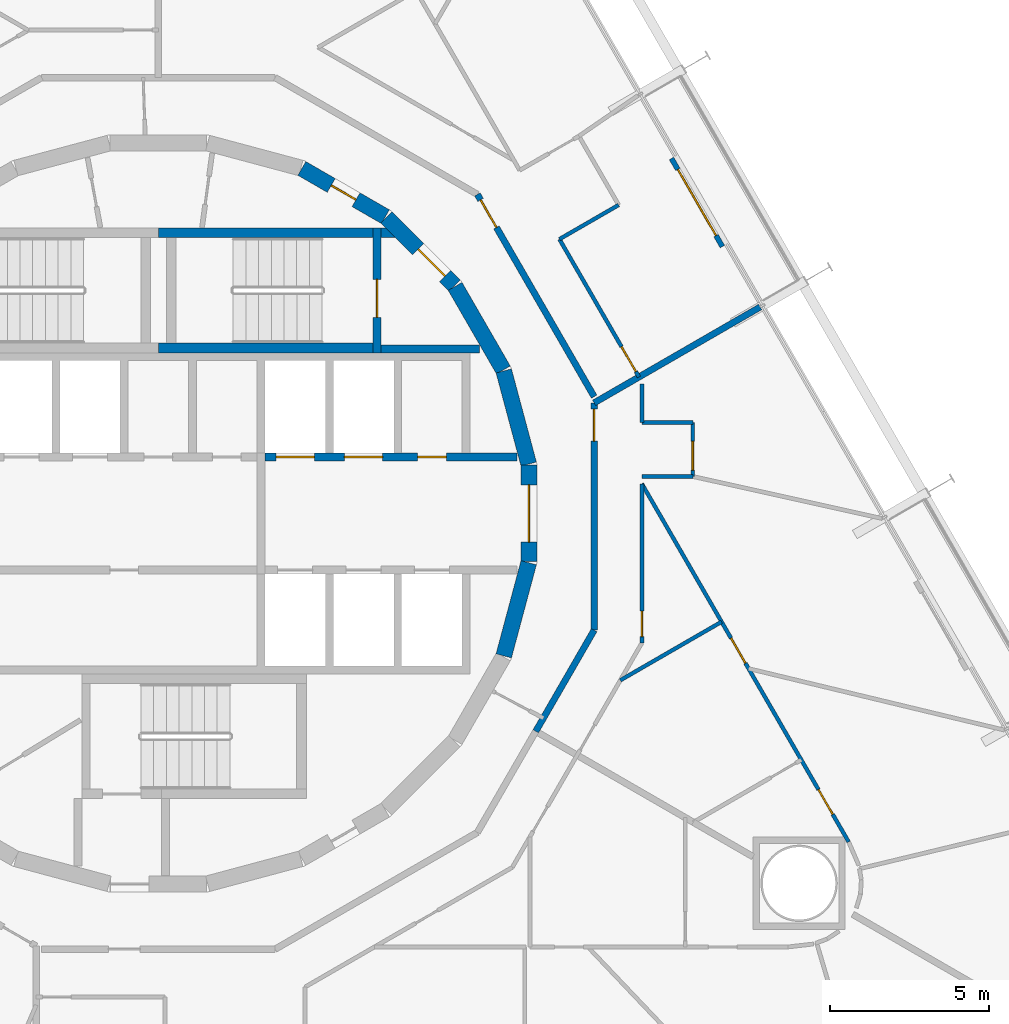
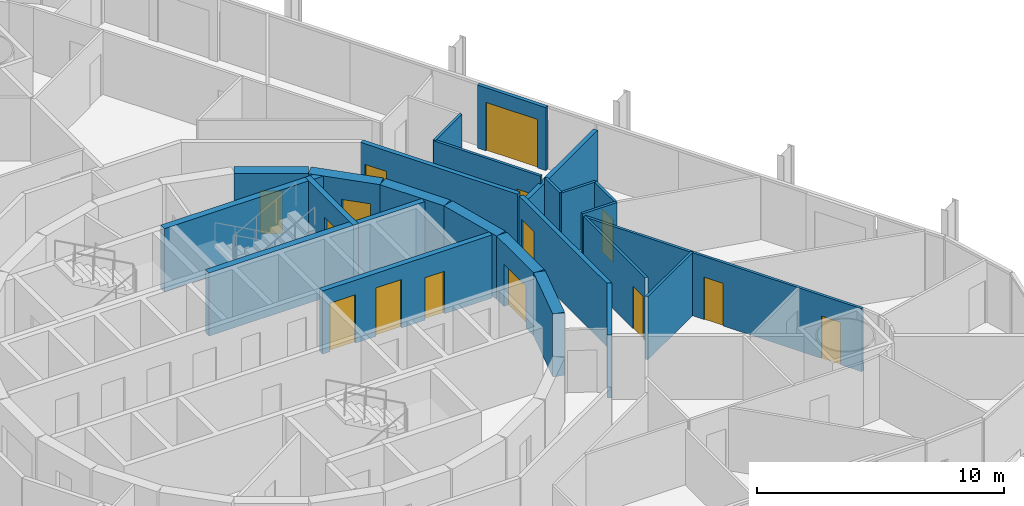
# One storey, part 17 of 21: 26 walls, 15 doors, 15 openings.
"""IFC4 building model written with IfcOpenShell, lengths in metres."""

from ifc_helpers import new_model, si_unit, direction, frame, frame_2d, origin, place, context, subcontext, project, spatial, polyline, rectangle, outline, extrude, material, layer, layer_set, type_object, element, fill, save


model = new_model("IFC4")

# Units and contexts
model_context = context("Model", 3, precision=1e-05, world=origin(), true_north=direction((0.0, 1.0)))
body_context = subcontext(model_context, "Body", "Model", "MODEL_VIEW")
ifc_project = project(units=[si_unit("LENGTHUNIT", "METRE"), si_unit("AREAUNIT", "SQUARE_METRE"), si_unit("VOLUMEUNIT", "CUBIC_METRE"), si_unit("PLANEANGLEUNIT", "RADIAN"), si_unit("MASSUNIT", "GRAM", prefix="KILO")], contexts=[model_context])

# Site, building, storey
site_placement = place(None, origin())
site = spatial("IfcSite", under=ifc_project, at=site_placement, CompositionType="ELEMENT")
building_placement = place(site_placement, origin())
building = spatial("IfcBuilding", under=site, at=building_placement, Name="Spindle Arch Residences", CompositionType="ELEMENT")
storey_placement = place(building_placement, frame((0.0, 0.0, 55.89990234375)))
storey = spatial("IfcBuildingStorey", under=building, at=storey_placement, Name="L12", CompositionType="ELEMENT", Elevation=55.89990234375)

# Wall
ifc_material_1 = material(Name="Concrete C50/60", Category="concrete")
ifc_layer_1 = layer(ifc_material_1, 0.5)
ifc_layer_set_1 = layer_set([ifc_layer_1], Name="Core outline wall 500")
wall_type_1 = type_object("IfcWallType", Name="Core outline wall 500", PredefinedType="SHEAR", material=ifc_layer_set_1)
wall_1_placement = place(storey_placement, frame((10.858154296875, -4.479248046875, 0.0), z_axis=(0.0, 0.0, 1.0), x_axis=(0.258734743916, 0.965948410781, 0.0)))
element("IfcWall", 1, at=wall_1_placement, inside=storey, type_object=wall_type_1, Name="Core outline wall 5", PredefinedType="SHEAR", context=body_context, shape_type="SweptSolid", body=[
    extrude(rectangle(XDim=3.03271484375, YDim=0.5, at=frame_2d((1.516357421875, 0.0))), origin(), (0.0, 0.0, 1.0), 3.1201171875),
])

# Wall, opening, door
wall_2_placement = place(storey_placement, frame((11.647216796875, -1.516357421875, 0.0), z_axis=(0.0, 0.0, 1.0), x_axis=(0.0, 1.0, 0.0)))
wall_2 = element("IfcWall", 2, at=wall_2_placement, inside=storey, type_object=wall_type_1, Name="Core outline wall 6", PredefinedType="SHEAR", context=body_context, shape_type="SweptSolid", body=[
    extrude(rectangle(XDim=3.03271484375, YDim=0.5, at=frame_2d((1.516357421875, 0.0))), origin(), (0.0, 0.0, 1.0), 3.1201171875),
])
opening_1_placement = place(wall_2_placement, frame((0.6162109375, 0.0, 0.0)))
opening_1 = element("IfcOpeningElement", 3, at=opening_1_placement, cuts=wall_2, Name="Opening R1B1-FE01", PredefinedType="OPENING", context=body_context, shape_type="SweptSolid", body=[
    extrude(rectangle(XDim=1.800048828125, YDim=2.10009765625, at=frame_2d((0.89990234375, 1.050048828125))), frame((0.0, 0.260009765625, 0.0), z_axis=(0.0, -1.0, 0.0), x_axis=(1.0, 0.0, 0.0)), (0.0, 0.0, 1.0), 0.52001953125),
])
ifc_material_2 = material(Name="Steel, fire-resisting door", Category="steel")
door_type_1 = type_object("IfcDoorType", Name="Fire-lift lobby door 1800x2100", OperationType="DOUBLE_DOOR_SINGLE_SWING", PredefinedType="DOOR", material=ifc_material_2)
door_1_placement = place(opening_1_placement, origin())
door_1 = element("IfcDoor", 4, at=door_1_placement, inside=storey, type_object=door_type_1, Name="Fire-lift lobby door R1B1-FE01", OperationType="DOUBLE_DOOR_SINGLE_SWING", OverallHeight=2.10009765625, OverallWidth=1.800048828125, PredefinedType="DOOR", context=body_context, shape_type="SweptSolid", body=[
    extrude(rectangle(XDim=1.800048828125, YDim=2.10009765625, at=frame_2d((0.89990234375, 1.050048828125))), frame((0.0, 0.02490234375, 0.0), z_axis=(0.0, -1.0, 0.0), x_axis=(1.0, 0.0, 0.0)), (0.0, 0.0, 1.0), 0.050048828125),
])
fill(opening_1, door_1)

# Walls
for number, where, z_axis, x_axis, name in (
    (5, (11.642822265625, 1.5498046875, 0.0), (0.0, 0.0, 1.0), (-0.258734743916, 0.965948410781, 0.0), "Core outline wall 7"),
    (6, (10.84521484375, 4.510498046875, 0.0), (0.0, 0.0, 1.0), (-0.500087131594, 0.865975092491, 0.0), "Core outline wall 8"),
):
    element("IfcWall", number, at=place(storey_placement, frame(where, z_axis=z_axis, x_axis=x_axis)), inside=storey, type_object=wall_type_1, Name=name, PredefinedType="SHEAR", context=body_context, shape_type="SweptSolid", body=[
        extrude(rectangle(XDim=3.03271484375, YDim=0.5, at=frame_2d((1.516357421875, 0.0))), origin(), (0.0, 0.0, 1.0), 3.1201171875),
    ])

# Wall, opening, door
wall_3_placement = place(storey_placement, frame((9.30810546875, 7.163818359375, 0.0), z_axis=(0.0, 0.0, 1.0), x_axis=(-0.707106781187, 0.707106781187, 0.0)))
wall_3 = element("IfcWall", 7, at=wall_3_placement, inside=storey, type_object=wall_type_1, Name="Core outline wall 9", PredefinedType="SHEAR", context=body_context, shape_type="SweptSolid", body=[
    extrude(rectangle(XDim=3.032470703125, YDim=0.5, at=frame_2d((1.51611328125, 0.0))), origin(), (0.0, 0.0, 1.0), 3.1201171875),
])
opening_2_placement = place(wall_3_placement, frame((0.416259765625, 0.0, 0.0)))
opening_2 = element("IfcOpeningElement", 8, at=opening_2_placement, cuts=wall_3, Name="Opening R1B1-AD01", PredefinedType="OPENING", context=body_context, shape_type="SweptSolid", body=[
    extrude(rectangle(XDim=1.199951171875, YDim=2.10009765625, at=frame_2d((0.60009765625, 1.050048828125))), frame((0.0, 0.260009765625, 0.0), z_axis=(0.0, -1.0, 0.0), x_axis=(1.0, 0.0, 0.0)), (0.0, 0.0, 1.0), 0.52001953125),
])
ifc_material_3 = material(Name="Steel, fire-resisting door", Category="steel")
door_type_2 = type_object("IfcDoorType", Name="Stair airlock door 1200x2100", OperationType="SINGLE_SWING_LEFT", PredefinedType="DOOR", material=ifc_material_3)
door_2_placement = place(opening_2_placement, origin())
door_2 = element("IfcDoor", 9, at=door_2_placement, inside=storey, type_object=door_type_2, Name="Stair airlock door R1B1-AD01", OperationType="SINGLE_SWING_RIGHT", OverallHeight=2.10009765625, OverallWidth=1.199951171875, PredefinedType="DOOR", context=body_context, shape_type="SweptSolid", body=[
    extrude(rectangle(XDim=1.199951171875, YDim=2.10009765625, at=frame_2d((0.60009765625, 1.050048828125))), frame((0.0, 0.02490234375, 0.0), z_axis=(0.0, -1.0, 0.0), x_axis=(1.0, 0.0, 0.0)), (0.0, 0.0, 1.0), 0.050048828125),
])
fill(opening_2, door_2)

wall_4_placement = place(storey_placement, frame((7.13671875, 9.32861328125, 0.0), z_axis=(0.0, 0.0, 1.0), x_axis=(-0.865975092491, 0.500087131594, 0.0)))
wall_4 = element("IfcWall", 10, at=wall_4_placement, inside=storey, type_object=wall_type_1, Name="Core outline wall 10", PredefinedType="SHEAR", context=body_context, shape_type="SweptSolid", body=[
    extrude(rectangle(XDim=3.03271484375, YDim=0.5, at=frame_2d((1.516357421875, 0.0))), origin(), (0.0, 0.0, 1.0), 3.1201171875),
])
opening_3_placement = place(wall_4_placement, frame((1.06640625, 0.0, 0.0)))
opening_3 = element("IfcOpeningElement", 11, at=opening_3_placement, cuts=wall_4, Name="Opening R1B1-WD10", PredefinedType="OPENING", context=body_context, shape_type="SweptSolid", body=[
    extrude(rectangle(XDim=0.89990234375, YDim=2.10009765625, at=frame_2d((0.449951171875, 1.050048828125))), frame((0.0, 0.260009765625, 0.0), z_axis=(0.0, -1.0, 0.0), x_axis=(1.0, 0.0, 0.0)), (0.0, 0.0, 1.0), 0.52001953125),
])
ifc_material_4 = material(Name="Steel, fire-resisting door", Category="steel")
door_type_3 = type_object("IfcDoorType", Name="Service room door 900x2100", OperationType="SINGLE_SWING_LEFT", PredefinedType="DOOR", material=ifc_material_4)
door_3_placement = place(opening_3_placement, origin())
door_3 = element("IfcDoor", 12, at=door_3_placement, inside=storey, type_object=door_type_3, Name="Service room door R1B1-WD10", OperationType="SINGLE_SWING_LEFT", OverallHeight=2.10009765625, OverallWidth=0.89990234375, PredefinedType="DOOR", context=body_context, shape_type="SweptSolid", body=[
    extrude(rectangle(XDim=0.89990234375, YDim=2.10009765625, at=frame_2d((0.449951171875, 1.050048828125))), frame((0.0, 0.02490234375, 0.0), z_axis=(0.0, -1.0, 0.0), x_axis=(1.0, 0.0, 0.0)), (0.0, 0.0, 1.0), 0.050048828125),
])
fill(opening_3, door_3)

ifc_material_5 = material(Name="Calcium silicate block, plastered")
ifc_layer_2 = layer(ifc_material_5, 0.199951171875)
ifc_layer_set_2 = layer_set([ifc_layer_2], Name="Corridor wall 200")
wall_type_2 = type_object("IfcWallType", Name="Corridor wall 200", PredefinedType="STANDARD", material=ifc_layer_set_2)
wall_5_placement = place(storey_placement, frame((13.699951171875, 3.6708984375, 0.0), z_axis=(0.0, 0.0, 1.0), x_axis=(-0.500001669485, 0.866024439905, 0.0)))
wall_5 = element("IfcWall", 13, at=wall_5_placement, inside=storey, type_object=wall_type_2, Name="Corridor wall R1B1-W004", PredefinedType="STANDARD", context=body_context, shape_type="SweptSolid", body=[
    extrude(rectangle(XDim=7.341796875, YDim=0.199951171875, at=frame_2d((3.6708984375, 0.0))), origin(), (0.0, 0.0, 1.0), 3.1201171875),
])
opening_4_placement = place(wall_5_placement, frame((6.141845703125, 0.0, 0.0)))
opening_4 = element("IfcOpeningElement", 14, at=opening_4_placement, cuts=wall_5, Name="Opening R1B1-FD01", PredefinedType="OPENING", context=body_context, shape_type="SweptSolid", body=[
    extrude(rectangle(XDim=1.0, YDim=2.10009765625, at=frame_2d((0.5, 1.050048828125))), frame((0.0, 0.10986328125, 0.0), z_axis=(0.0, -1.0, 0.0), x_axis=(1.0, 0.0, 0.0)), (0.0, 0.0, 1.0), 0.219970703125),
])
ifc_material_6 = material(Name="Timber, fire-resisting door set", Category="wood")
door_type_4 = type_object("IfcDoorType", Name="Flat entrance door 1000x2100", OperationType="NOTDEFINED", PredefinedType="DOOR", material=ifc_material_6)
door_4_placement = place(opening_4_placement, origin())
door_4 = element("IfcDoor", 15, at=door_4_placement, inside=storey, type_object=door_type_4, Name="Flat entrance door R1B1-FD01", OperationType="SINGLE_SWING_RIGHT", OverallHeight=2.10009765625, OverallWidth=1.0, PredefinedType="DOOR", context=body_context, shape_type="SweptSolid", body=[
    extrude(rectangle(XDim=1.0, YDim=2.10009765625, at=frame_2d((0.5, 1.050048828125))), frame((0.0, 0.02490234375, 0.0), z_axis=(0.0, -1.0, 0.0), x_axis=(1.0, 0.0, 0.0)), (0.0, 0.0, 1.0), 0.050048828125),
])
fill(opening_4, door_4)

# Wall
wall_6_placement = place(storey_placement, frame((11.864501953125, -6.85009765625, 0.0), z_axis=(0.0, 0.0, 1.0), x_axis=(0.499987270552, 0.86603275301, 0.0)))
element("IfcWall", 16, at=wall_6_placement, inside=storey, type_object=wall_type_2, Name="Corridor wall R1B1-W007", PredefinedType="STANDARD", context=body_context, shape_type="SweptSolid", body=[
    extrude(rectangle(XDim=3.6708984375, YDim=0.199951171875, at=frame_2d((1.83544921875, 0.0))), origin(), (0.0, 0.0, 1.0), 3.1201171875),
])

# Wall, opening, door
wall_7_placement = place(storey_placement, frame((13.699951171875, -3.6708984375, 0.0), z_axis=(0.0, 0.0, 1.0), x_axis=(0.0, 1.0, 0.0)))
wall_7 = element("IfcWall", 17, at=wall_7_placement, inside=storey, type_object=wall_type_2, Name="Corridor wall R1B1-W008", PredefinedType="STANDARD", context=body_context, shape_type="SweptSolid", body=[
    extrude(rectangle(XDim=7.146484375, YDim=0.199951171875, at=frame_2d((3.5732421875, 0.0))), origin(), (0.0, 0.0, 1.0), 3.1201171875),
])
opening_5_placement = place(wall_7_placement, frame((5.946533203125, 0.0, 0.0)))
opening_5 = element("IfcOpeningElement", 18, at=opening_5_placement, cuts=wall_7, Name="Opening R1B1-FD06", PredefinedType="OPENING", context=body_context, shape_type="SweptSolid", body=[
    extrude(rectangle(XDim=1.0, YDim=2.10009765625, at=frame_2d((0.5, 1.050048828125))), frame((0.0, 0.10986328125, 0.0), z_axis=(0.0, -1.0, 0.0), x_axis=(1.0, 0.0, 0.0)), (0.0, 0.0, 1.0), 0.219970703125),
])
door_5_placement = place(opening_5_placement, origin())
door_5 = element("IfcDoor", 19, at=door_5_placement, inside=storey, type_object=door_type_4, Name="Flat entrance door R1B1-FD06", OperationType="SINGLE_SWING_LEFT", OverallHeight=2.10009765625, OverallWidth=1.0, PredefinedType="DOOR", context=body_context, shape_type="SweptSolid", body=[
    extrude(rectangle(XDim=1.0, YDim=2.10009765625, at=frame_2d((0.5, 1.050048828125))), frame((0.0, 0.02490234375, 0.0), z_axis=(0.0, -1.0, 0.0), x_axis=(1.0, 0.0, 0.0)), (0.0, 0.0, 1.0), 0.050048828125),
])
fill(opening_5, door_5)

# Wall, openings, doors
ifc_material_7 = material(Name="Concrete C40/50", Category="concrete")
ifc_layer_3 = layer(ifc_material_7, 0.25)
ifc_layer_set_3 = layer_set([ifc_layer_3], Name="Fire-lift lobby wall 250")
wall_type_3 = type_object("IfcWallType", Name="Fire-lift lobby wall 250", PredefinedType="SHEAR", material=ifc_layer_set_3)
wall_8_placement = place(storey_placement, frame((3.35009765625, 1.77490234375, 0.0), z_axis=(0.0, 0.0, 1.0), x_axis=(1.0, 0.0, 0.0)))
wall_8 = element("IfcWall", 20, at=wall_8_placement, inside=storey, type_object=wall_type_3, Name="Lift shaft front wall NE", PredefinedType="SHEAR", context=body_context, shape_type="SweptSolid", body=[
    extrude(rectangle(XDim=7.929931640625, YDim=0.25, at=frame_2d((3.96484375, 0.0))), origin(), (0.0, 0.0, 1.0), 3.1201171875),
])
opening_6_placement = place(wall_8_placement, frame((0.35009765625, 0.0, 0.0)))
opening_6 = element("IfcOpeningElement", 21, at=opening_6_placement, cuts=wall_8, Name="Opening R1B1-SLD01", PredefinedType="OPENING", context=body_context, shape_type="SweptSolid", body=[
    extrude(rectangle(XDim=1.199951171875, YDim=2.39990234375, at=frame_2d((0.60009765625, 1.199951171875))), frame((0.0, 0.135009765625, 0.0), z_axis=(0.0, -1.0, 0.0), x_axis=(1.0, 0.0, 0.0)), (0.0, 0.0, 1.0), 0.27001953125),
])
opening_7_placement = place(wall_8_placement, frame((2.5, 0.0, 0.0)))
opening_7 = element("IfcOpeningElement", 22, at=opening_7_placement, cuts=wall_8, Name="Opening R1B1-SLD02", PredefinedType="OPENING", context=body_context, shape_type="SweptSolid", body=[
    extrude(rectangle(XDim=1.199951171875, YDim=2.39990234375, at=frame_2d((0.60009765625, 1.199951171875))), frame((0.0, 0.135009765625, 0.0), z_axis=(0.0, -1.0, 0.0), x_axis=(1.0, 0.0, 0.0)), (0.0, 0.0, 1.0), 0.27001953125),
])
opening_8_placement = place(wall_8_placement, frame((4.800048828125, 0.0, 0.0)))
opening_8 = element("IfcOpeningElement", 23, at=opening_8_placement, cuts=wall_8, Name="Opening R1B1-WD03", PredefinedType="OPENING", context=body_context, shape_type="SweptSolid", body=[
    extrude(rectangle(XDim=0.89990234375, YDim=2.10009765625, at=frame_2d((0.449951171875, 1.050048828125))), frame((0.0, 0.135009765625, 0.0), z_axis=(0.0, -1.0, 0.0), x_axis=(1.0, 0.0, 0.0)), (0.0, 0.0, 1.0), 0.27001953125),
])
ifc_material_8 = material(Name="Steel, fire-resisting landing door", Category="steel")
door_type_5 = type_object("IfcDoorType", Name="Service lift landing door 1200x2400", OperationType="DOUBLE_DOOR_SLIDING", PredefinedType="DOOR", material=ifc_material_8)
door_6_placement = place(opening_6_placement, origin())
door_6 = element("IfcDoor", 24, at=door_6_placement, inside=storey, type_object=door_type_5, Name="Service lift landing door R1B1-SLD01", OperationType="DOUBLE_DOOR_SLIDING", OverallHeight=2.39990234375, OverallWidth=1.199951171875, PredefinedType="DOOR", context=body_context, shape_type="SweptSolid", body=[
    extrude(rectangle(XDim=1.199951171875, YDim=2.39990234375, at=frame_2d((0.60009765625, 1.199951171875))), frame((0.0, 0.02490234375, 0.0), z_axis=(0.0, -1.0, 0.0), x_axis=(1.0, 0.0, 0.0)), (0.0, 0.0, 1.0), 0.050048828125),
])
fill(opening_6, door_6)
door_7_placement = place(opening_7_placement, origin())
door_7 = element("IfcDoor", 25, at=door_7_placement, inside=storey, type_object=door_type_5, Name="Service lift landing door R1B1-SLD02", OperationType="DOUBLE_DOOR_SLIDING", OverallHeight=2.39990234375, OverallWidth=1.199951171875, PredefinedType="DOOR", context=body_context, shape_type="SweptSolid", body=[
    extrude(rectangle(XDim=1.199951171875, YDim=2.39990234375, at=frame_2d((0.60009765625, 1.199951171875))), frame((0.0, 0.02490234375, 0.0), z_axis=(0.0, -1.0, 0.0), x_axis=(1.0, 0.0, 0.0)), (0.0, 0.0, 1.0), 0.050048828125),
])
fill(opening_7, door_7)
door_8_placement = place(opening_8_placement, origin())
door_8 = element("IfcDoor", 26, at=door_8_placement, inside=storey, type_object=door_type_3, Name="Service room door R1B1-WD03", OperationType="SINGLE_SWING_RIGHT", OverallHeight=2.10009765625, OverallWidth=0.89990234375, PredefinedType="DOOR", context=body_context, shape_type="SweptSolid", body=[
    extrude(rectangle(XDim=0.89990234375, YDim=2.10009765625, at=frame_2d((0.449951171875, 1.050048828125))), frame((0.0, 0.02490234375, 0.0), z_axis=(0.0, -1.0, 0.0), x_axis=(1.0, 0.0, 0.0)), (0.0, 0.0, 1.0), 0.050048828125),
])
fill(opening_8, door_8)

# Wall, opening, door
ifc_material_9 = material(Name="Plasterboard on steel studs", Category="steel")
ifc_layer_4 = layer(ifc_material_9, 0.1201171875)
ifc_layer_set_4 = layer_set([ifc_layer_4], Name="Flat partition 120")
wall_type_4 = type_object("IfcWallType", Name="Flat partition 120", PredefinedType="PARTITIONING", material=ifc_layer_set_4)
wall_9_placement = place(storey_placement, frame((15.109619140625, 4.289306640625, 0.0), z_axis=(0.0, 0.0, 1.0), x_axis=(-0.500033654285, 0.866005972602, 0.0)))
wall_9 = element("IfcWall", 27, at=wall_9_placement, inside=storey, type_object=wall_type_4, Name="Flat partition R1B1-W029", PredefinedType="PARTITIONING", context=body_context, shape_type="SweptSolid", body=[
    extrude(rectangle(XDim=5.002685546875, YDim=0.1201171875, at=frame_2d((2.50146484375, 0.0))), origin(), (0.0, 0.0, 1.0), 3.1201171875),
])
opening_9_placement = place(wall_9_placement, frame((0.199951171875, 0.0, 0.0)))
opening_9 = element("IfcOpeningElement", 28, at=opening_9_placement, cuts=wall_9, Name="Opening R1B1-ID01", PredefinedType="OPENING", context=body_context, shape_type="SweptSolid", body=[
    extrude(rectangle(XDim=0.89990234375, YDim=2.10009765625, at=frame_2d((0.449951171875, 1.050048828125))), frame((0.0, 0.070068359375, 0.0), z_axis=(0.0, -1.0, 0.0), x_axis=(1.0, 0.0, 0.0)), (0.0, 0.0, 1.0), 0.14013671875),
])
ifc_material_10 = material(Name="Timber door set", Category="wood")
door_type_6 = type_object("IfcDoorType", Name="Room door 900x2100", OperationType="NOTDEFINED", PredefinedType="DOOR", material=ifc_material_10)
door_9_placement = place(opening_9_placement, origin())
door_9 = element("IfcDoor", 29, at=door_9_placement, inside=storey, type_object=door_type_6, Name="Room door R1B1-ID01", OperationType="SINGLE_SWING_LEFT", OverallHeight=2.10009765625, OverallWidth=0.89990234375, PredefinedType="DOOR", context=body_context, shape_type="SweptSolid", body=[
    extrude(rectangle(XDim=0.89990234375, YDim=2.10009765625, at=frame_2d((0.449951171875, 1.050048828125))), frame((0.0, 0.02490234375, 0.0), z_axis=(0.0, -1.0, 0.0), x_axis=(1.0, 0.0, 0.0)), (0.0, 0.0, 1.0), 0.050048828125),
])
fill(opening_9, door_9)

# Wall
wall_10_placement = place(storey_placement, frame((12.608154296875, 8.62158203125, 0.0), z_axis=(0.0, 0.0, 1.0), x_axis=(0.866005997533, 0.500033611107, 0.0)))
element("IfcWall", 30, at=wall_10_placement, inside=storey, type_object=wall_type_4, Name="Flat partition R1B1-W030", PredefinedType="PARTITIONING", context=body_context, shape_type="SweptSolid", body=[
    extrude(rectangle(XDim=2.150634765625, YDim=0.1201171875, at=frame_2d((1.0751953125, 0.0))), origin(), (0.0, 0.0, 1.0), 3.1201171875),
])

# Wall, opening, door
wall_11_placement = place(storey_placement, frame((16.80029296875, 1.16162109375, 0.0), z_axis=(0.0, 0.0, 1.0), x_axis=(0.0, 1.0, 0.0)))
wall_11 = element("IfcWall", 31, at=wall_11_placement, inside=storey, type_object=wall_type_4, Name="Flat partition R1B1-W111", PredefinedType="PARTITIONING", context=body_context, shape_type="SweptSolid", body=[
    extrude(rectangle(XDim=1.7001953125, YDim=0.1201171875, at=frame_2d((0.85009765625, 0.0))), origin(), (0.0, 0.0, 1.0), 3.1201171875),
])
opening_10_placement = place(wall_11_placement, frame((0.199951171875, 0.0, 0.0)))
opening_10 = element("IfcOpeningElement", 32, at=opening_10_placement, cuts=wall_11, Name="Opening R1B1-ID31", PredefinedType="OPENING", context=body_context, shape_type="SweptSolid", body=[
    extrude(rectangle(XDim=0.89990234375, YDim=2.10009765625, at=frame_2d((0.449951171875, 1.050048828125))), frame((0.0, 0.070068359375, 0.0), z_axis=(0.0, -1.0, 0.0), x_axis=(1.0, 0.0, 0.0)), (0.0, 0.0, 1.0), 0.14013671875),
])
door_10_placement = place(opening_10_placement, origin())
door_10 = element("IfcDoor", 33, at=door_10_placement, inside=storey, type_object=door_type_6, Name="Room door R1B1-ID31", OperationType="SINGLE_SWING_LEFT", OverallHeight=2.10009765625, OverallWidth=0.89990234375, PredefinedType="DOOR", context=body_context, shape_type="SweptSolid", body=[
    extrude(rectangle(XDim=0.89990234375, YDim=2.10009765625, at=frame_2d((0.449951171875, 1.050048828125))), frame((0.0, 0.02490234375, 0.0), z_axis=(0.0, -1.0, 0.0), x_axis=(1.0, 0.0, 0.0)), (0.0, 0.0, 1.0), 0.050048828125),
])
fill(opening_10, door_10)

# Walls
wall_12_placement = place(storey_placement, frame((16.80029296875, 2.86181640625, 0.0), z_axis=(0.0, 0.0, 1.0), x_axis=(-1.0, 0.0, 0.0)))
element("IfcWall", 34, at=wall_12_placement, inside=storey, type_object=wall_type_4, Name="Flat partition R1B1-W112", PredefinedType="PARTITIONING", context=body_context, shape_type="SweptSolid", body=[
    extrude(rectangle(XDim=1.600341796875, YDim=0.1201171875, at=frame_2d((0.80029296875, 0.0))), origin(), (0.0, 0.0, 1.0), 3.1201171875),
])
wall_13_placement = place(storey_placement, frame((15.199951171875, 2.86181640625, 0.0), z_axis=(0.0, 0.0, 1.0), x_axis=(0.0, 1.0, 0.0)))
element("IfcWall", 35, at=wall_13_placement, inside=storey, type_object=wall_type_4, Name="Flat partition R1B1-W113", PredefinedType="PARTITIONING", context=body_context, shape_type="SweptSolid", body=[
    extrude(rectangle(XDim=1.2109375, YDim=0.1201171875, at=frame_2d((0.60546875, 0.0))), origin(), (0.0, 0.0, 1.0), 3.1201171875),
])

# Wall, opening, door
wall_14_placement = place(storey_placement, frame((15.199951171875, -4.07275390625, 0.0), z_axis=(0.0, 0.0, 1.0), x_axis=(0.0, 1.0, 0.0)))
wall_14 = element("IfcWall", 36, at=wall_14_placement, inside=storey, type_object=wall_type_4, Name="Flat partition R1B1-W114", PredefinedType="PARTITIONING", context=body_context, shape_type="SweptSolid", body=[
    extrude(rectangle(XDim=5.00537109375, YDim=0.1201171875, at=frame_2d((2.502685546875, 0.0))), origin(), (0.0, 0.0, 1.0), 3.1201171875),
])
opening_11_placement = place(wall_14_placement, frame((0.199951171875, 0.0, 0.0)))
opening_11 = element("IfcOpeningElement", 37, at=opening_11_placement, cuts=wall_14, Name="Opening R1B1-BD06", PredefinedType="OPENING", context=body_context, shape_type="SweptSolid", body=[
    extrude(rectangle(XDim=0.800048828125, YDim=2.10009765625, at=frame_2d((0.39990234375, 1.050048828125))), frame((0.0, 0.070068359375, 0.0), z_axis=(0.0, -1.0, 0.0), x_axis=(1.0, 0.0, 0.0)), (0.0, 0.0, 1.0), 0.14013671875),
])
ifc_material_11 = material(Name="Timber door set", Category="wood")
door_type_7 = type_object("IfcDoorType", Name="Bathroom door 800x2100", OperationType="NOTDEFINED", PredefinedType="DOOR", material=ifc_material_11)
door_11_placement = place(opening_11_placement, origin())
door_11 = element("IfcDoor", 38, at=door_11_placement, inside=storey, type_object=door_type_7, Name="Bathroom door R1B1-BD06", OperationType="SINGLE_SWING_LEFT", OverallHeight=2.10009765625, OverallWidth=0.800048828125, PredefinedType="DOOR", context=body_context, shape_type="SweptSolid", body=[
    extrude(rectangle(XDim=0.800048828125, YDim=2.10009765625, at=frame_2d((0.39990234375, 1.050048828125))), frame((0.0, 0.02490234375, 0.0), z_axis=(0.0, -1.0, 0.0), x_axis=(1.0, 0.0, 0.0)), (0.0, 0.0, 1.0), 0.050048828125),
])
fill(opening_11, door_11)

# Wall
wall_15_placement = place(storey_placement, frame((15.199951171875, 1.16162109375, 0.0), z_axis=(0.0, 0.0, 1.0), x_axis=(1.0, 0.0, 0.0)))
element("IfcWall", 39, at=wall_15_placement, inside=storey, type_object=wall_type_4, Name="Flat partition R1B1-W115", PredefinedType="PARTITIONING", context=body_context, shape_type="SweptSolid", body=[
    extrude(rectangle(XDim=1.600341796875, YDim=0.1201171875, at=frame_2d((0.80029296875, 0.0))), origin(), (0.0, 0.0, 1.0), 3.1201171875),
])

# Wall, openings, doors
wall_16_placement = place(storey_placement, frame((21.700927734375, -10.3271484375, 0.0), z_axis=(0.0, 0.0, 1.0), x_axis=(-0.500008528526, 0.866020479782, 0.0)))
wall_16 = element("IfcWall", 40, at=wall_16_placement, inside=storey, type_object=wall_type_4, Name="Flat partition R1B1-W122", PredefinedType="PARTITIONING", context=body_context, shape_type="SweptSolid", body=[
    extrude(rectangle(XDim=13.001708984375, YDim=0.1201171875, at=frame_2d((6.5009765625, 0.0))), origin(), (0.0, 0.0, 1.0), 3.1201171875),
])
opening_12_placement = place(wall_16_placement, frame((6.490478515625, 0.0, 0.0)))
opening_12 = element("IfcOpeningElement", 41, at=opening_12_placement, cuts=wall_16, Name="Opening R1B1-ID33", PredefinedType="OPENING", context=body_context, shape_type="SweptSolid", body=[
    extrude(rectangle(XDim=0.89990234375, YDim=2.10009765625, at=frame_2d((0.449951171875, 1.050048828125))), frame((0.0, 0.070068359375, 0.0), z_axis=(0.0, -1.0, 0.0), x_axis=(1.0, 0.0, 0.0)), (0.0, 0.0, 1.0), 0.14013671875),
])
opening_13_placement = place(wall_16_placement, frame((1.0, 0.0, 0.0)))
opening_13 = element("IfcOpeningElement", 42, at=opening_13_placement, cuts=wall_16, Name="Opening R1B1-ID35", PredefinedType="OPENING", context=body_context, shape_type="SweptSolid", body=[
    extrude(rectangle(XDim=0.89990234375, YDim=2.10009765625, at=frame_2d((0.449951171875, 1.050048828125))), frame((0.0, 0.070068359375, 0.0), z_axis=(0.0, -1.0, 0.0), x_axis=(1.0, 0.0, 0.0)), (0.0, 0.0, 1.0), 0.14013671875),
])
door_12_placement = place(opening_12_placement, origin())
door_12 = element("IfcDoor", 43, at=door_12_placement, inside=storey, type_object=door_type_6, Name="Room door R1B1-ID33", OperationType="SINGLE_SWING_LEFT", OverallHeight=2.10009765625, OverallWidth=0.89990234375, PredefinedType="DOOR", context=body_context, shape_type="SweptSolid", body=[
    extrude(rectangle(XDim=0.89990234375, YDim=2.10009765625, at=frame_2d((0.449951171875, 1.050048828125))), frame((0.0, 0.02490234375, 0.0), z_axis=(0.0, -1.0, 0.0), x_axis=(1.0, 0.0, 0.0)), (0.0, 0.0, 1.0), 0.050048828125),
])
fill(opening_12, door_12)
door_13_placement = place(opening_13_placement, origin())
door_13 = element("IfcDoor", 44, at=door_13_placement, inside=storey, type_object=door_type_6, Name="Room door R1B1-ID35", OperationType="SINGLE_SWING_LEFT", OverallHeight=2.10009765625, OverallWidth=0.89990234375, PredefinedType="DOOR", context=body_context, shape_type="SweptSolid", body=[
    extrude(rectangle(XDim=0.89990234375, YDim=2.10009765625, at=frame_2d((0.449951171875, 1.050048828125))), frame((0.0, 0.02490234375, 0.0), z_axis=(0.0, -1.0, 0.0), x_axis=(1.0, 0.0, 0.0)), (0.0, 0.0, 1.0), 0.050048828125),
])
fill(opening_13, door_13)

# Walls
wall_17_placement = place(storey_placement, frame((17.7060546875, -3.407958984375, 0.0), z_axis=(0.0, 0.0, 1.0), x_axis=(-0.866027421574, -0.49999650507, 0.0)))
element("IfcWall", 45, at=wall_17_placement, inside=storey, type_object=wall_type_4, Name="Flat partition R1B1-W124", PredefinedType="PARTITIONING", context=body_context, shape_type="SweptSolid", body=[
    extrude(rectangle(XDim=3.67578125, YDim=0.1201171875, at=frame_2d((1.837890625, 0.0))), origin(), (0.0, 0.0, 1.0), 3.1201171875),
])
ifc_material_12 = material(Name="Calcium silicate block, plastered")
ifc_layer_5 = layer(ifc_material_12, 0.199951171875)
ifc_layer_set_5 = layer_set([ifc_layer_5], Name="Flat party wall 200 under beam 2730")
wall_type_5 = type_object("IfcWallType", Name="Flat party wall 200 under beam 2730", PredefinedType="STANDARD", material=ifc_layer_set_5)
wall_18_placement = place(storey_placement, frame((13.699951171875, 3.4755859375, 0.0), z_axis=(0.0, 0.0, 1.0), x_axis=(0.866013584312, 0.500020471368, 0.0)))
element("IfcWall", 46, at=wall_18_placement, inside=storey, type_object=wall_type_5, Name="Flat party wall R1B1-W018", PredefinedType="STANDARD", context=body_context, shape_type="SweptSolid", body=[
    extrude(rectangle(XDim=6.027587890625, YDim=0.199951171875, at=frame_2d((3.013671875, 0.0))), origin(), (0.0, 0.0, 1.0), 2.72998046875),
])

# Wall, opening, door
ifc_material_13 = material(Name="Non-combustible mineral wool insulated aluminium faced external wall (K0)", Category="aluminium")
ifc_layer_6 = layer(ifc_material_13, 0.159912109375)
ifc_layer_set_6 = layer_set([ifc_layer_6], Name="Insulated external wall panel 160")
wall_type_6 = type_object("IfcWallType", Name="Insulated external wall panel 160", PredefinedType="STANDARD", material=ifc_layer_set_6)
wall_19_placement = place(storey_placement, frame((17.730712890625, 8.389404296875, 0.0), z_axis=(0.0, 0.0, 1.0), x_axis=(-0.500028443584, 0.866008981251, 0.0)))
wall_19 = element("IfcWall", 47, at=wall_19_placement, inside=storey, type_object=wall_type_6, Name="External wall L12 bay 8", PredefinedType="STANDARD", context=body_context, shape_type="SweptSolid", body=[
    extrude(rectangle(XDim=3.199951171875, YDim=0.159912109375, at=frame_2d((1.60009765625, 0.0))), origin(), (0.0, 0.0, 1.0), 3.1201171875),
])
opening_14_placement = place(wall_19_placement, frame((0.39990234375, 0.0, 0.0)))
opening_14 = element("IfcOpeningElement", 48, at=opening_14_placement, cuts=wall_19, Name="Opening BD08", PredefinedType="OPENING", context=body_context, shape_type="SweptSolid", body=[
    extrude(rectangle(XDim=2.39990234375, YDim=2.39990234375, at=frame_2d((1.199951171875, 1.199951171875))), frame((0.0, 0.08984375, 0.0), z_axis=(0.0, -1.0, 0.0), x_axis=(1.0, 0.0, 0.0)), (0.0, 0.0, 1.0), 0.179931640625),
])
ifc_material_14 = material(Name="Bronze aluminium frame, tinted double glazing", Category="aluminium")
door_type_8 = type_object("IfcDoorType", Name="Sliding glazed balcony door 2400x2400", OperationType="DOUBLE_DOOR_SLIDING", PredefinedType="DOOR", material=ifc_material_14)
door_14_placement = place(opening_14_placement, origin())
door_14 = element("IfcDoor", 49, at=door_14_placement, inside=storey, type_object=door_type_8, Name="Balcony door BD08", OperationType="DOUBLE_DOOR_SLIDING", OverallHeight=2.39990234375, OverallWidth=2.39990234375, PredefinedType="DOOR", context=body_context, shape_type="SweptSolid", body=[
    extrude(rectangle(XDim=2.39990234375, YDim=2.39990234375, at=frame_2d((1.199951171875, 1.199951171875))), frame((0.0, 0.02490234375, 0.0), z_axis=(0.0, -1.0, 0.0), x_axis=(1.0, 0.0, 0.0)), (0.0, 0.0, 1.0), 0.050048828125),
])
fill(opening_14, door_14)

# Walls
ifc_material_15 = material(Name="Concrete C40/50", Category="concrete")
ifc_layer_7 = layer(ifc_material_15, 0.25)
ifc_layer_set_7 = layer_set([ifc_layer_7], Name="Stair airlock wall 250")
wall_type_7 = type_object("IfcWallType", Name="Stair airlock wall 250", PredefinedType="SHEAR", material=ifc_layer_set_7)
wall_20_placement = place(storey_placement, frame((7.0, 5.175048828125, 0.0), z_axis=(0.0, 0.0, 1.0), x_axis=(1.0, 0.0, 0.0)))
element("IfcWall", 50, at=wall_20_placement, inside=storey, type_object=wall_type_7, Name="Stair ST-1 airlock wall S", PredefinedType="SHEAR", context=body_context, shape_type="SweptSolid", body=[
    extrude(rectangle(XDim=3.10009765625, YDim=0.25, at=frame_2d((1.550048828125, 0.0))), origin(), (0.0, 0.0, 1.0), 3.1201171875),
])
ifc_material_16 = material(Name="Concrete C40/50", Category="concrete")
wall_type_8 = type_object("IfcWallType", Name="Stair airlock wall profile", PredefinedType="SHEAR", material=ifc_material_16)
wall_21_placement = place(storey_placement, origin())
element("IfcWall", 51, at=wall_21_placement, inside=storey, type_object=wall_type_8, Name="Stair ST-1 airlock wall N", PredefinedType="SHEAR", context=body_context, shape_type="SweptSolid", body=[
    extrude(outline(polyline([(7.4482421875, 8.669921875), (7.0, 8.669921875), (7.0, 8.969970703125), (7.148193359375, 8.969970703125), (7.4482421875, 8.669921875)])), origin(), (0.0, 0.0, 1.0), 3.1201171875),
])

# Wall, opening, door
ifc_material_17 = material(Name="Concrete C50/60", Category="concrete")
ifc_layer_8 = layer(ifc_material_17, 0.25)
ifc_layer_set_8 = layer_set([ifc_layer_8], Name="Stair enclosure wall 250")
wall_type_9 = type_object("IfcWallType", Name="Stair enclosure wall 250", PredefinedType="SHEAR", material=ifc_layer_set_8)
wall_22_placement = place(storey_placement, frame((6.875, 5.050048828125, 0.0), z_axis=(0.0, 0.0, 1.0), x_axis=(0.0, 1.0, 0.0)))
wall_22 = element("IfcWall", 52, at=wall_22_placement, inside=storey, type_object=wall_type_9, Name="Stair ST-1 door wall", PredefinedType="SHEAR", context=body_context, shape_type="SweptSolid", body=[
    extrude(rectangle(XDim=3.919921875, YDim=0.25, at=frame_2d((1.9599609375, 0.0))), origin(), (0.0, 0.0, 1.0), 3.1201171875),
])
opening_15_placement = place(wall_22_placement, frame((1.110107421875, 0.0, 0.0)))
opening_15 = element("IfcOpeningElement", 53, at=opening_15_placement, cuts=wall_22, Name="Opening R1B1-SD01", PredefinedType="OPENING", context=body_context, shape_type="SweptSolid", body=[
    extrude(rectangle(XDim=1.199951171875, YDim=2.10009765625, at=frame_2d((0.60009765625, 1.050048828125))), frame((0.0, 0.135009765625, 0.0), z_axis=(0.0, -1.0, 0.0), x_axis=(1.0, 0.0, 0.0)), (0.0, 0.0, 1.0), 0.27001953125),
])
ifc_material_18 = material(Name="Steel, fire-resisting door", Category="steel")
door_type_9 = type_object("IfcDoorType", Name="Stair door 1200x2100", OperationType="SINGLE_SWING_RIGHT", PredefinedType="DOOR", material=ifc_material_18)
door_15_placement = place(opening_15_placement, origin())
door_15 = element("IfcDoor", 54, at=door_15_placement, inside=storey, type_object=door_type_9, Name="Stair door R1B1-SD01", OperationType="SINGLE_SWING_LEFT", OverallHeight=2.10009765625, OverallWidth=1.199951171875, PredefinedType="DOOR", context=body_context, shape_type="SweptSolid", body=[
    extrude(rectangle(XDim=1.199951171875, YDim=2.10009765625, at=frame_2d((0.60009765625, 1.050048828125))), frame((0.0, 0.02490234375, 0.0), z_axis=(0.0, -1.0, 0.0), x_axis=(1.0, 0.0, 0.0)), (0.0, 0.0, 1.0), 0.050048828125),
])
fill(opening_15, door_15)

# Walls
ifc_material_19 = material(Name="Concrete C50/60", Category="concrete")
ifc_layer_9 = layer(ifc_material_19, 0.300048828125)
ifc_layer_set_9 = layer_set([ifc_layer_9], Name="Stair enclosure wall 300")
wall_type_10 = type_object("IfcWallType", Name="Stair enclosure wall 300", PredefinedType="SHEAR", material=ifc_layer_set_9)
for number, where, z_axis, x_axis, name in (
    (55, (0.0, 5.199951171875, 0.0), (0.0, 0.0, 1.0), (1.0, 0.0, 0.0), "Stair ST-1 enclosure wall S"),
    (56, (0.0, 8.820068359375, 0.0), (0.0, 0.0, 1.0), (1.0, 0.0, 0.0), "Stair ST-1 enclosure wall N"),
):
    element("IfcWall", number, at=place(storey_placement, frame(where, z_axis=z_axis, x_axis=x_axis)), inside=storey, type_object=wall_type_10, Name=name, PredefinedType="SHEAR", context=body_context, shape_type="SweptSolid", body=[
        extrude(rectangle(XDim=6.75, YDim=0.300048828125, at=frame_2d((3.375, 0.0))), origin(), (0.0, 0.0, 1.0), 3.1201171875),
    ])

save(model, "model.ifc")
